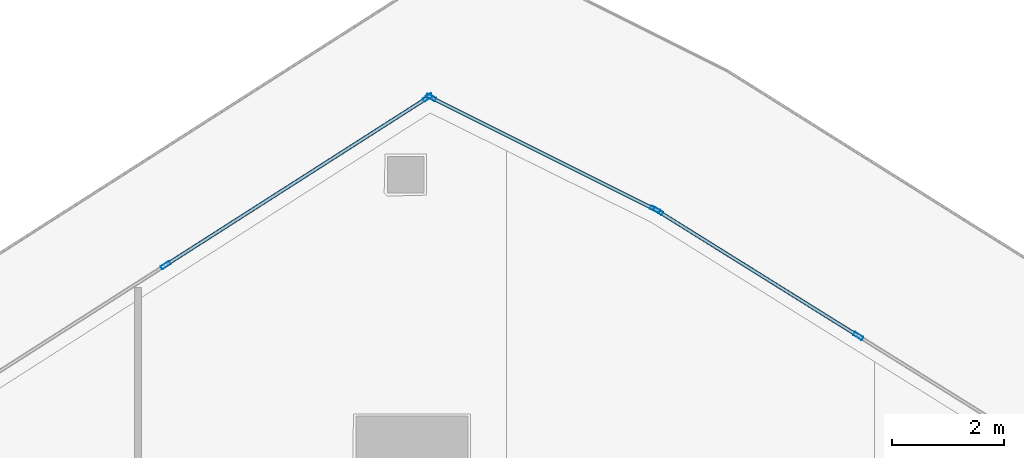
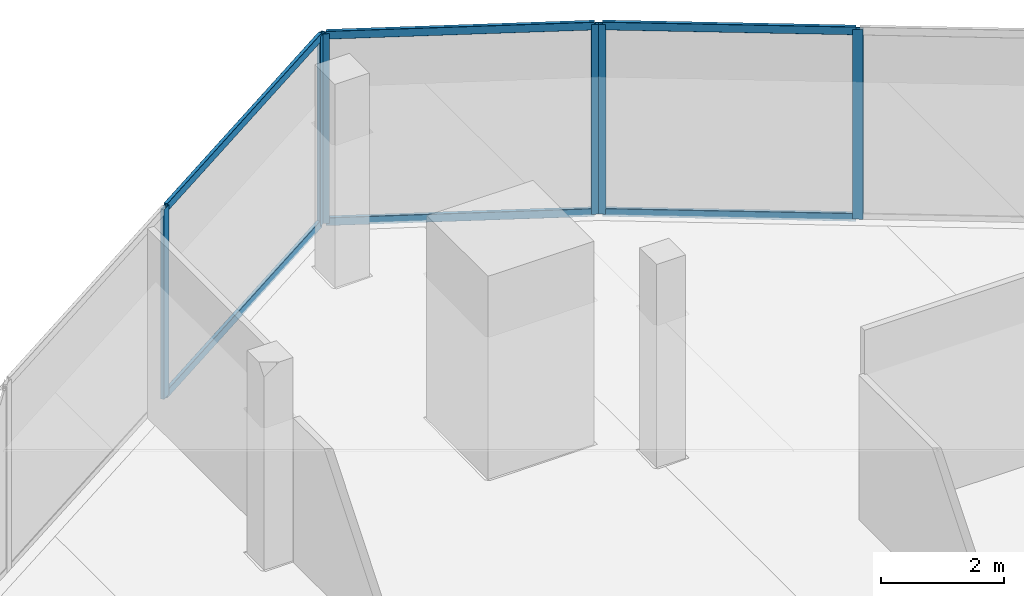
# One storey, part 22 of 37: 12 members, 3 elements without a shape of their own.
"""IFC4 building model written with IfcOpenShell, lengths in metres."""

from ifc_helpers import new_model, si_unit, direction, frame, origin, origin_2d, place, context, subcontext, project, spatial, hollow_rectangle, extrude, material, layer, layer_set, material_profile, profile_set, type_object, element, aggregate, save


model = new_model("IFC4")

# Units and contexts
model_context = context("Model", 3, precision=1e-05, world=origin(), true_north=direction((0.0, 1.0)))
body_context = subcontext(model_context, "Body", "Model", "MODEL_VIEW")
ifc_project = project(units=[si_unit("LENGTHUNIT", "METRE"), si_unit("AREAUNIT", "SQUARE_METRE"), si_unit("VOLUMEUNIT", "CUBIC_METRE"), si_unit("PLANEANGLEUNIT", "RADIAN"), si_unit("MASSUNIT", "GRAM", prefix="KILO")], contexts=[model_context])

# Site, building, storey
site_placement = place(None, origin())
site = spatial("IfcSite", under=ifc_project, at=site_placement, CompositionType="ELEMENT")
building_placement = place(site_placement, origin())
building = spatial("IfcBuilding", under=site, at=building_placement, Name="Qorvath Tower", CompositionType="ELEMENT")
storey_placement = place(building_placement, frame((0.0, 0.0, 188.85009765625)))
storey = spatial("IfcBuildingStorey", under=building, at=storey_placement, Name="L43", CompositionType="ELEMENT", Elevation=188.85009765625)

# Curtain wall, members
ifc_material_1 = material(Name="Anodised aluminium and triple low-E glass", Category="aluminium")
ifc_layer = layer(ifc_material_1, 0.179931640625)
ifc_layer_set = layer_set([ifc_layer], Name="CW-SYS-3")
curtain_wall_type = type_object("IfcCurtainWallType", Name="CW-SYS-3", PredefinedType="NOTDEFINED", material=ifc_layer_set)
curtain_wall_1_placement = place(storey_placement, origin())
curtain_wall_1 = element("IfcCurtainWall", 1, at=curtain_wall_1_placement, inside=storey, type_object=curtain_wall_type, Name="Curtain Wall CW-3 CW-T-L43-14.1", PredefinedType="NOTDEFINED")
ifc_material_2 = material(Name="Anodised aluminium 6063-T6", Category="aluminium")
ifc_material_profile_1 = material_profile(ifc_material_2, hollow_rectangle(XDim=0.06494140625, YDim=0.179931640625, WallThickness=0.00341796875, InnerFilletRadius=0.00341796875, OuterFilletRadius=0.007080078125, at=origin_2d()), Name="CWM 180x65")
ifc_profile_set_1 = profile_set([ifc_material_profile_1], Name="Anodised aluminium 6063-T6")
member_type_1 = type_object("IfcMemberType", Name="CWM-180", PredefinedType="MULLION", material=ifc_profile_set_1)
member_1_placement = place(storey_placement, frame((-8.923828125, 24.05322265625, 0.0), z_axis=(0.0, 0.0, 1.0), x_axis=(-0.529252450172, -0.848464403488, 0.0)))
member_1 = element("IfcMember", 2, at=member_1_placement, type_object=member_type_1, Name="CW-3 mullion 2", PredefinedType="MULLION", context=body_context, shape_type="SweptSolid", body=[
    extrude(hollow_rectangle(XDim=0.06494140625, YDim=0.179931640625, WallThickness=0.00341796875, InnerFilletRadius=0.00341796875, OuterFilletRadius=0.007080078125, at=origin_2d()), origin(), (0.0, 0.0, 1.0), 3.77978515625),
])
member_2_placement = place(storey_placement, frame((-12.488525390625, 26.276611328125, 0.0), z_axis=(0.0, 0.0, 1.0), x_axis=(-0.529252450172, -0.848464403488, 0.0)))
member_2 = element("IfcMember", 3, at=member_2_placement, type_object=member_type_1, Name="CW-3 mullion 3", PredefinedType="MULLION", context=body_context, shape_type="SweptSolid", body=[
    extrude(hollow_rectangle(XDim=0.06494140625, YDim=0.179931640625, WallThickness=0.00341796875, InnerFilletRadius=0.00341796875, OuterFilletRadius=0.007080078125, at=origin_2d()), origin(), (0.0, 0.0, 1.0), 3.77978515625),
])

curtain_wall_2_placement = place(storey_placement, origin())
curtain_wall_2 = element("IfcCurtainWall", 4, at=curtain_wall_2_placement, inside=storey, type_object=curtain_wall_type, Name="Curtain Wall CW-3 CW-T-L43-15.1", PredefinedType="NOTDEFINED")
member_3_placement = place(storey_placement, frame((-12.545166015625, 26.308349609375, 0.0), z_axis=(0.0, 0.0, 1.0), x_axis=(-0.447195906569, -0.894436035247, 0.0)))
member_3 = element("IfcMember", 5, at=member_3_placement, type_object=member_type_1, Name="CW-3 mullion 1", PredefinedType="MULLION", context=body_context, shape_type="SweptSolid", body=[
    extrude(hollow_rectangle(XDim=0.06494140625, YDim=0.179931640625, WallThickness=0.00341796875, InnerFilletRadius=0.00341796875, OuterFilletRadius=0.007080078125, at=origin_2d()), origin(), (0.0, 0.0, 1.0), 3.77978515625),
])
member_4_placement = place(storey_placement, frame((-16.5322265625, 28.3017578125, 0.0), z_axis=(0.0, 0.0, 1.0), x_axis=(-0.447195906569, -0.894436035247, 0.0)))
member_4 = element("IfcMember", 6, at=member_4_placement, type_object=member_type_1, Name="CW-3 mullion 2", PredefinedType="MULLION", context=body_context, shape_type="SweptSolid", body=[
    extrude(hollow_rectangle(XDim=0.06494140625, YDim=0.179931640625, WallThickness=0.00341796875, InnerFilletRadius=0.00341796875, OuterFilletRadius=0.007080078125, at=origin_2d()), origin(), (0.0, 0.0, 1.0), 3.77978515625),
])

curtain_wall_3_placement = place(storey_placement, origin())
curtain_wall_3 = element("IfcCurtainWall", 7, at=curtain_wall_3_placement, inside=storey, type_object=curtain_wall_type, Name="Curtain Wall CW-3 CW-T-L43-16.1", PredefinedType="NOTDEFINED")
member_5_placement = place(storey_placement, frame((-16.588623046875, 28.298828125, 0.0), z_axis=(0.0, 0.0, 1.0), x_axis=(0.538531234683, -0.842605547852, 0.0)))
member_5 = element("IfcMember", 8, at=member_5_placement, type_object=member_type_1, Name="CW-3 mullion 1", PredefinedType="MULLION", context=body_context, shape_type="SweptSolid", body=[
    extrude(hollow_rectangle(XDim=0.06494140625, YDim=0.179931640625, WallThickness=0.00341796875, InnerFilletRadius=0.00341796875, OuterFilletRadius=0.007080078125, at=origin_2d()), origin(), (0.0, 0.0, 1.0), 3.77978515625),
])
member_6_placement = place(storey_placement, frame((-21.256103515625, 25.315673828125, 0.0), z_axis=(0.0, 0.0, 1.0), x_axis=(0.538531234683, -0.842605547852, 0.0)))
member_6 = element("IfcMember", 9, at=member_6_placement, type_object=member_type_1, Name="CW-3 mullion 2", PredefinedType="MULLION", context=body_context, shape_type="SweptSolid", body=[
    extrude(hollow_rectangle(XDim=0.06494140625, YDim=0.179931640625, WallThickness=0.00341796875, InnerFilletRadius=0.00341796875, OuterFilletRadius=0.007080078125, at=origin_2d()), origin(), (0.0, 0.0, 1.0), 3.77978515625),
])

# Member
ifc_material_3 = material(Name="Anodised aluminium 6063-T6", Category="aluminium")
ifc_material_profile_2 = material_profile(ifc_material_3, hollow_rectangle(XDim=0.06494140625, YDim=0.159912109375, WallThickness=0.00341796875, InnerFilletRadius=0.00341796875, OuterFilletRadius=0.007080078125, at=origin_2d()), Name="CWT 160x65")
ifc_profile_set_2 = profile_set([ifc_material_profile_2], Name="Anodised aluminium 6063-T6")
member_type_2 = type_object("IfcMemberType", Name="CWT-160", PredefinedType="USERDEFINED", material=ifc_profile_set_2)
member_7_placement = place(storey_placement, frame((-8.951416015625, 24.0703125, 0.032470703125), z_axis=(-0.848458895061, 0.529261280836, 0.0), x_axis=(-0.529261280836, -0.848458895061, 0.0)))
member_7 = element("IfcMember", 10, at=member_7_placement, type_object=member_type_2, Name="CW-3 transom 2.1", ObjectType="TRANSOM", PredefinedType="USERDEFINED", context=body_context, shape_type="SweptSolid", body=[
    extrude(hollow_rectangle(XDim=0.06494140625, YDim=0.159912109375, WallThickness=0.00341796875, InnerFilletRadius=0.00341796875, OuterFilletRadius=0.007080078125, at=origin_2d()), origin(), (0.0, 0.0, 1.0), 4.13623046875),
])

member_8_placement = place(storey_placement, frame((-8.951416015625, 24.0703125, 3.747314453125), z_axis=(-0.848458895061, 0.529261280836, 0.0), x_axis=(-0.529261280836, -0.848458895061, 0.0)))
member_8 = element("IfcMember", 11, at=member_8_placement, type_object=member_type_2, Name="CW-3 transom 2.2", ObjectType="TRANSOM", PredefinedType="USERDEFINED", context=body_context, shape_type="SweptSolid", body=[
    extrude(hollow_rectangle(XDim=0.06494140625, YDim=0.159912109375, WallThickness=0.00341796875, InnerFilletRadius=0.00341796875, OuterFilletRadius=0.007080078125, at=origin_2d()), origin(), (0.0, 0.0, 1.0), 4.13623046875),
])

aggregate(curtain_wall_1, [member_1, member_2, member_7, member_8])

member_9_placement = place(storey_placement, frame((-12.57421875, 26.322998046875, 0.032470703125), z_axis=(-0.894438306591, 0.447191363626, 0.0), x_axis=(-0.447191363626, -0.894438306591, 0.0)))
member_9 = element("IfcMember", 12, at=member_9_placement, type_object=member_type_2, Name="CW-3 transom 1.1", ObjectType="TRANSOM", PredefinedType="USERDEFINED", context=body_context, shape_type="SweptSolid", body=[
    extrude(hollow_rectangle(XDim=0.06494140625, YDim=0.159912109375, WallThickness=0.00341796875, InnerFilletRadius=0.00341796875, OuterFilletRadius=0.007080078125, at=origin_2d()), origin(), (0.0, 0.0, 1.0), 4.392578125),
])

member_10_placement = place(storey_placement, frame((-12.57421875, 26.322998046875, 3.747314453125), z_axis=(-0.894438306591, 0.447191363626, 0.0), x_axis=(-0.447191363626, -0.894438306591, 0.0)))
member_10 = element("IfcMember", 13, at=member_10_placement, type_object=member_type_2, Name="CW-3 transom 1.2", ObjectType="TRANSOM", PredefinedType="USERDEFINED", context=body_context, shape_type="SweptSolid", body=[
    extrude(hollow_rectangle(XDim=0.06494140625, YDim=0.159912109375, WallThickness=0.00341796875, InnerFilletRadius=0.00341796875, OuterFilletRadius=0.007080078125, at=origin_2d()), origin(), (0.0, 0.0, 1.0), 4.392578125),
])

aggregate(curtain_wall_2, [member_3, member_4, member_9, member_10])

member_11_placement = place(storey_placement, frame((-16.615966796875, 28.281494140625, 0.032470703125), z_axis=(-0.842598452192, -0.53854233665, 0.0), x_axis=(0.53854233665, -0.842598452192, 0.0)))
member_11 = element("IfcMember", 14, at=member_11_placement, type_object=member_type_2, Name="CW-3 transom 1.1", ObjectType="TRANSOM", PredefinedType="USERDEFINED", context=body_context, shape_type="SweptSolid", body=[
    extrude(hollow_rectangle(XDim=0.06494140625, YDim=0.159912109375, WallThickness=0.00341796875, InnerFilletRadius=0.00341796875, OuterFilletRadius=0.007080078125, at=origin_2d()), origin(), (0.0, 0.0, 1.0), 5.474365234375),
])

member_12_placement = place(storey_placement, frame((-16.615966796875, 28.281494140625, 3.747314453125), z_axis=(-0.842598452192, -0.53854233665, 0.0), x_axis=(0.53854233665, -0.842598452192, 0.0)))
member_12 = element("IfcMember", 15, at=member_12_placement, type_object=member_type_2, Name="CW-3 transom 1.2", ObjectType="TRANSOM", PredefinedType="USERDEFINED", context=body_context, shape_type="SweptSolid", body=[
    extrude(hollow_rectangle(XDim=0.06494140625, YDim=0.159912109375, WallThickness=0.00341796875, InnerFilletRadius=0.00341796875, OuterFilletRadius=0.007080078125, at=origin_2d()), origin(), (0.0, 0.0, 1.0), 5.474365234375),
])

aggregate(curtain_wall_3, [member_5, member_6, member_11, member_12])

save(model, "model.ifc")
